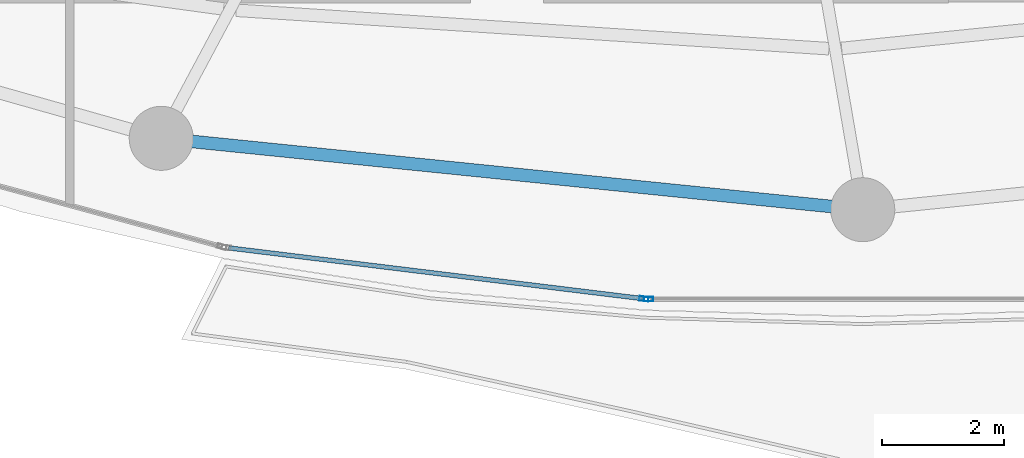
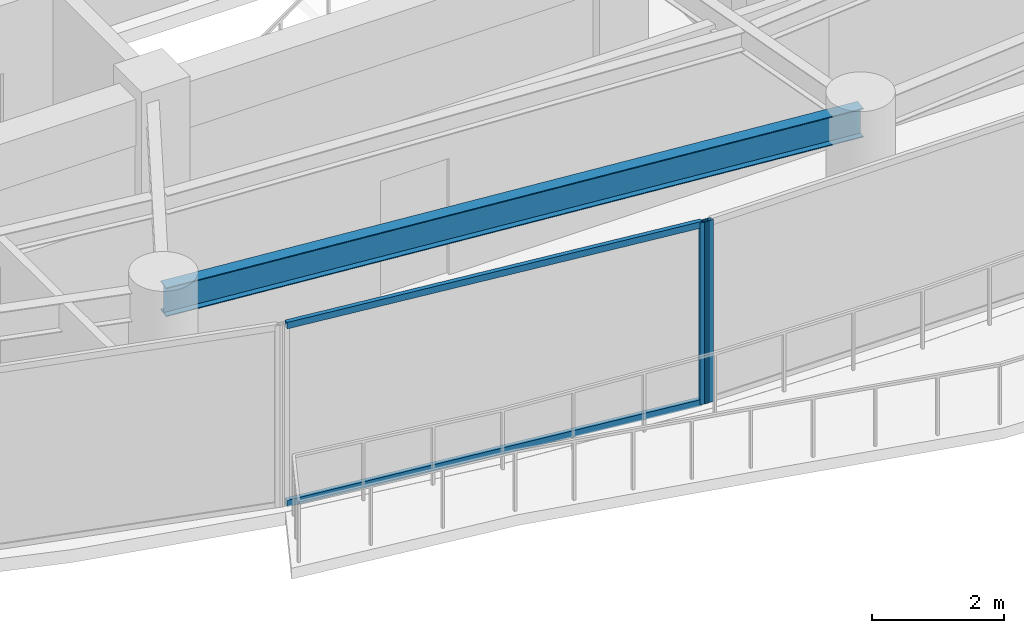
# One storey, part 6 of 31: 4 members, 1 beam, 2 elements without a shape of their own.
"""IFC4 building model written with IfcOpenShell, lengths in metres."""

from ifc_helpers import new_model, si_unit, direction, frame, origin, origin_2d, place, context, subcontext, project, spatial, hollow_rectangle, i_section, extrude, material, layer, layer_set, material_profile, profile_set, type_object, element, aggregate, save


model = new_model("IFC4")

# Units and contexts
model_context = context("Model", 3, precision=1e-05, world=origin(), true_north=direction((0.0, 1.0)))
body_context = subcontext(model_context, "Body", "Model", "MODEL_VIEW")
ifc_project = project(units=[si_unit("LENGTHUNIT", "METRE"), si_unit("AREAUNIT", "SQUARE_METRE"), si_unit("VOLUMEUNIT", "CUBIC_METRE"), si_unit("PLANEANGLEUNIT", "RADIAN"), si_unit("MASSUNIT", "GRAM", prefix="KILO")], contexts=[model_context])

# Site, building, storey
site_placement = place(None, origin())
site = spatial("IfcSite", under=ifc_project, at=site_placement, CompositionType="ELEMENT")
building_placement = place(site_placement, origin())
building = spatial("IfcBuilding", under=site, at=building_placement, Name="Kazevale Care Tower and Concert Hall", CompositionType="ELEMENT")
storey_placement = place(building_placement, frame((0.0, 0.0, 202.800048828125)))
storey = spatial("IfcBuildingStorey", under=building, at=storey_placement, Name="L53", CompositionType="ELEMENT", Elevation=202.800048828125)

# Curtain wall, member
ifc_material_1 = material(Name="Aluminium 6063-T6 and Low-E Glass", Category="aluminium")
ifc_layer = layer(ifc_material_1, 0.179931640625)
ifc_layer_set = layer_set([ifc_layer], Name="Aluminium 6063-T6 and Low-E Glass")
curtain_wall_type = type_object("IfcCurtainWallType", Name="Sheltered Concave Balcony Curtain Wall CW-5", PredefinedType="NOTDEFINED", material=ifc_layer_set)
curtain_wall_1_placement = place(storey_placement, origin())
curtain_wall_1 = element("IfcCurtainWall", 1, at=curtain_wall_1_placement, inside=storey, type_object=curtain_wall_type, Name="cw:L53:f06", PredefinedType="NOTDEFINED")
ifc_material_2 = material(Name="Aluminium 6063-T6", Category="aluminium")
ifc_material_profile_1 = material_profile(ifc_material_2, hollow_rectangle(XDim=0.074951171875, YDim=0.14990234375, WallThickness=0.00390625, at=origin_2d()), Name="ALU75x150x4")
ifc_profile_set_1 = profile_set([ifc_material_profile_1], Name="Aluminium 6063-T6")
member_type_1 = type_object("IfcMemberType", Name="CW-5 Mullion ALU75x150x4", PredefinedType="MULLION", material=ifc_profile_set_1)
member_1_placement = place(storey_placement, frame((41.487548828125, 16.284912109375, 0.0), z_axis=(0.0, 0.0, 1.0), x_axis=(0.0, -1.0, 0.0)))
member_1 = element("IfcMember", 2, at=member_1_placement, type_object=member_type_1, Name="CW-5 mullion 2", PredefinedType="MULLION", context=body_context, shape_type="SweptSolid", body=[
    extrude(hollow_rectangle(XDim=0.074951171875, YDim=0.14990234375, WallThickness=0.00390625, at=origin_2d()), origin(), (0.0, 0.0, 1.0), 3.35986328125),
])
aggregate(curtain_wall_1, [member_1])

# Curtain wall, members
curtain_wall_2_placement = place(storey_placement, origin())
curtain_wall_2 = element("IfcCurtainWall", 3, at=curtain_wall_2_placement, inside=storey, type_object=curtain_wall_type, Name="cw:L53:f07", PredefinedType="NOTDEFINED")
member_2_placement = place(storey_placement, frame((41.412841796875, 16.28955078125, 0.0), z_axis=(0.0, 0.0, 1.0), x_axis=(-0.121650797964, -0.992572961225, 0.0)))
member_2 = element("IfcMember", 4, at=member_2_placement, type_object=member_type_1, Name="CW-5 mullion 1", PredefinedType="MULLION", context=body_context, shape_type="SweptSolid", body=[
    extrude(hollow_rectangle(XDim=0.074951171875, YDim=0.14990234375, WallThickness=0.00390625, at=origin_2d()), origin(), (0.0, 0.0, 1.0), 3.35986328125),
])
ifc_material_profile_2 = material_profile(ifc_material_2, hollow_rectangle(XDim=0.074951171875, YDim=0.1201171875, WallThickness=0.00390625, at=origin_2d()), Name="ALU75x120x4")
ifc_profile_set_2 = profile_set([ifc_material_profile_2], Name="Aluminium 6063-T6")
member_type_2 = type_object("IfcMemberType", Name="CW-5 Transom ALU75x120x4", PredefinedType="USERDEFINED", material=ifc_profile_set_2)
member_3_placement = place(storey_placement, frame((41.37548828125, 16.294189453125, 0.037353515625), z_axis=(-0.992575633306, 0.121628993941, 0.0), x_axis=(-0.121628993941, -0.992575633306, 0.0)))
member_3 = element("IfcMember", 5, at=member_3_placement, type_object=member_type_2, Name="CW-5 transom 1.1", ObjectType="TRANSOM", PredefinedType="USERDEFINED", context=body_context, shape_type="SweptSolid", body=[
    extrude(hollow_rectangle(XDim=0.074951171875, YDim=0.1201171875, WallThickness=0.00390625, at=origin_2d()), origin(), (0.0, 0.0, 1.0), 6.820556640625),
])
member_4_placement = place(storey_placement, frame((41.37548828125, 16.294189453125, 3.322509765625), z_axis=(-0.992575633306, 0.121628993941, 0.0), x_axis=(-0.121628993941, -0.992575633306, 0.0)))
member_4 = element("IfcMember", 6, at=member_4_placement, type_object=member_type_2, Name="CW-5 transom 1.2", ObjectType="TRANSOM", PredefinedType="USERDEFINED", context=body_context, shape_type="SweptSolid", body=[
    extrude(hollow_rectangle(XDim=0.074951171875, YDim=0.1201171875, WallThickness=0.00390625, at=origin_2d()), origin(), (0.0, 0.0, 1.0), 6.820556640625),
])
aggregate(curtain_wall_2, [member_2, member_3, member_4])

# Beam
ifc_material_3 = material(Name="Steel ASTM A572 Gr 50", Category="steel")
ifc_material_profile_3 = material_profile(ifc_material_3, i_section(OverallWidth=0.208984375, OverallDepth=0.532958984375, WebThickness=0.01025390625, FlangeThickness=0.015625, at=origin_2d()), Name="W530x92")
ifc_profile_set_3 = profile_set([ifc_material_profile_3], Name="Steel ASTM A572 Gr 50")
beam_type = type_object("IfcBeamType", Name="Upper Ring Beam W530x92", PredefinedType="BEAM", material=ifc_profile_set_3)
beam_placement = place(storey_placement, frame((33.5, 18.919921875, 3.093505859375), z_axis=(0.994865089307, -0.101209950492, 0.0), x_axis=(0.101209950492, 0.994865089307, 0.0)))
element("IfcBeam", 7, at=beam_placement, inside=storey, type_object=beam_type, Name="beam:L53:ring:12", PredefinedType="BEAM", context=body_context, shape_type="SweptSolid", body=[
    extrude(i_section(OverallWidth=0.208984375, OverallDepth=0.532958984375, WebThickness=0.01025390625, FlangeThickness=0.015625, at=origin_2d()), origin(), (0.0, 0.0, 1.0), 11.559326171875),
])

save(model, "model.ifc")
